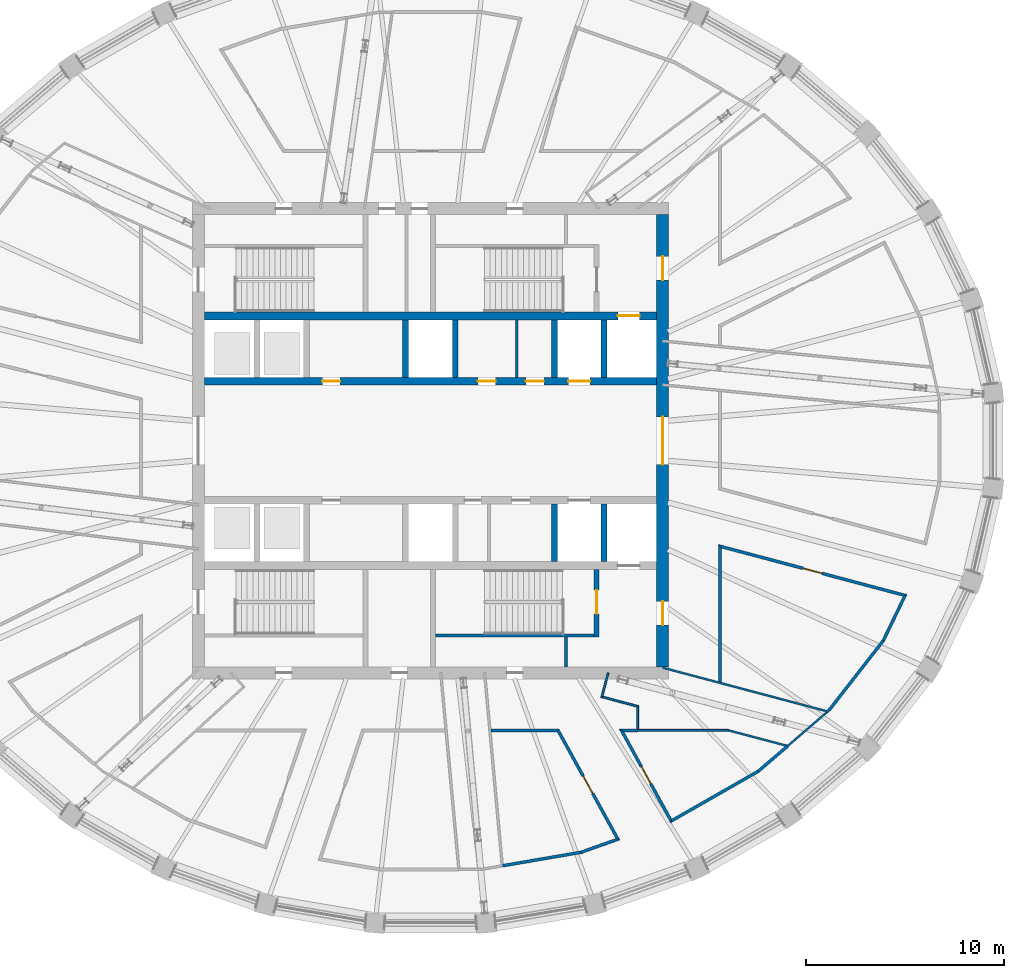
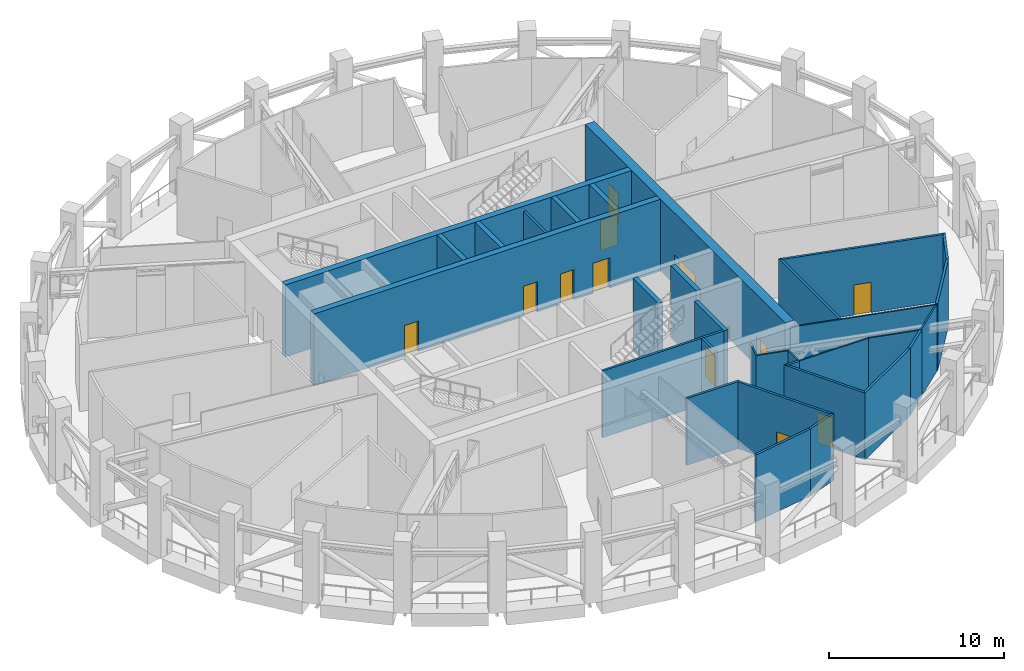
# One storey, part 9 of 20: 32 walls, 12 doors, 12 openings.
"""IFC4 building model written with IfcOpenShell, lengths in metres."""

from ifc_helpers import new_model, si_unit, direction, frame, frame_2d, origin, place, context, subcontext, project, spatial, polyline, rectangle, outline, extrude, material, layer, layer_set, type_object, element, fill, save


model = new_model("IFC4")

# Units and contexts
model_context = context("Model", 3, precision=1e-05, world=origin(), true_north=direction((0.0, 1.0)))
body_context = subcontext(model_context, "Body", "Model", "MODEL_VIEW")
ifc_project = project(units=[si_unit("LENGTHUNIT", "METRE"), si_unit("AREAUNIT", "SQUARE_METRE"), si_unit("VOLUMEUNIT", "CUBIC_METRE"), si_unit("PLANEANGLEUNIT", "RADIAN"), si_unit("MASSUNIT", "GRAM", prefix="KILO")], contexts=[model_context])

# Site, building, storey
site_placement = place(None, origin())
site = spatial("IfcSite", under=ifc_project, at=site_placement, CompositionType="ELEMENT")
building_placement = place(site_placement, origin())
building = spatial("IfcBuilding", under=site, at=building_placement, Name="Halqa Exchange Tower", CompositionType="ELEMENT")
storey_placement = place(building_placement, frame((0.0, 0.0, 328.300048828125)))
storey = spatial("IfcBuildingStorey", under=building, at=storey_placement, Name="L77", CompositionType="ELEMENT", Elevation=328.300048828125)

# Walls
ifc_material_1 = material(Name="Fire-rated gypsum board")
ifc_layer_1 = layer(ifc_material_1, 0.14990234375)
ifc_layer_set_1 = layer_set([ifc_layer_1], Name="Fire-rated gypsum board")
wall_type_1 = type_object("IfcWallType", Name="Fire partition EI 60 150", PredefinedType="PARTITIONING", material=ifc_layer_set_1)
wall_1_placement = place(storey_placement, frame((3.6201171875, -21.429931640625, 0.0), z_axis=(0.0, 0.0, 1.0), x_axis=(0.985641254307, 0.168852947287, 0.0)))
element("IfcWall", 1, at=wall_1_placement, inside=storey, type_object=wall_type_1, Name="L77-PWL-054", PredefinedType="PARTITIONING", context=body_context, shape_type="SweptSolid", body=[
    extrude(outline(polyline([(4.033935546875, -0.074951171875), (4.033935546875, -0.072998046875), (4.021240234375, 0.074951171875), (2.680908203125, 0.074951171875), (1.34033203125, 0.074951171875), (0.0, 0.074951171875), (0.0, -0.074951171875), (1.3447265625, -0.074951171875), (2.689208984375, -0.074951171875), (4.033935546875, -0.074951171875)])), origin(), (0.0, 0.0, 1.0), 4.64990234375),
])
wall_2_placement = place(storey_placement, frame((6.474365234375, -14.60009765625, 0.0), z_axis=(0.0, 0.0, 1.0), x_axis=(-1.0, 0.0, 0.0)))
element("IfcWall", 2, at=wall_2_placement, inside=storey, type_object=wall_type_1, Name="L77-PWL-056", PredefinedType="PARTITIONING", context=body_context, shape_type="SweptSolid", body=[
    extrude(outline(polyline([(3.435302734375, -0.074951171875), (3.435302734375, -0.070556640625), (3.422119140625, 0.074951171875), (1.75537109375, 0.074951171875), (0.088623046875, 0.074951171875), (0.04443359375, 0.0), (0.000244140625, -0.074951171875), (1.7177734375, -0.074951171875), (3.435302734375, -0.074951171875)])), origin(), (0.0, 0.0, 1.0), 4.64990234375),
])
wall_3_placement = place(storey_placement, frame((7.583984375, -20.752197265625, 0.0), z_axis=(0.0, 0.0, 1.0), x_axis=(0.942428945509, 0.334406463255, 0.0)))
element("IfcWall", 3, at=wall_3_placement, inside=storey, type_object=wall_type_1, Name="L77-PWL-058", PredefinedType="PARTITIONING", context=body_context, shape_type="SweptSolid", body=[
    extrude(outline(polyline([(0.0, -0.074951171875), (2.068359375, -0.074951171875), (1.891845703125, 0.074951171875), (0.012939453125, 0.074951171875), (0.0, -0.074462890625), (0.0, -0.074951171875)])), origin(), (0.0, 0.0, 1.0), 4.64990234375),
])

# Wall, opening, door
wall_4_placement = place(storey_placement, frame((9.492431640625, -20.167236328125, 0.0), z_axis=(0.0, 0.0, 1.0), x_axis=(-0.481958297576, 0.876194156222, 0.0)))
wall_4 = element("IfcWall", 4, at=wall_4_placement, inside=storey, type_object=wall_type_1, Name="L77-PWL-063", PredefinedType="PARTITIONING", context=body_context, shape_type="SweptSolid", body=[
    extrude(outline(polyline([(0.0, -0.074951171875), (1.599609375, -0.074951171875), (3.19921875, -0.074951171875), (4.798828125, -0.074951171875), (6.3984375, -0.074951171875), (6.309814453125, 0.074951171875), (4.7763671875, 0.074951171875), (3.242919921875, 0.074951171875), (1.709716796875, 0.074951171875), (0.17626953125, 0.074951171875), (0.0, -0.074951171875), (0.0, -0.074951171875)])), origin(), (0.0, 0.0, 1.0), 4.64990234375),
])
opening_1_placement = place(wall_4_placement, frame((2.72119140625, 0.0, 0.0)))
opening_1 = element("IfcOpeningElement", 5, at=opening_1_placement, cuts=wall_4, Name="Opening L77-05", PredefinedType="OPENING", context=body_context, shape_type="SweptSolid", body=[
    extrude(rectangle(XDim=1.0, YDim=2.10009765625, at=frame_2d((0.5, 1.050048828125))), frame((0.0, 0.0869140625, 0.0), z_axis=(0.0, -1.0, 0.0), x_axis=(1.0, 0.0, 0.0)), (0.0, 0.0, 1.0), 0.173828125),
])
ifc_material_2 = material(Name="Steel fire door leaf", Category="steel")
door_type_1 = type_object("IfcDoorType", Name="Fire door FD30S 1000 x 2100", OperationType="SINGLE_SWING_LEFT", PredefinedType="DOOR", material=ifc_material_2)
door_1_placement = place(opening_1_placement, origin())
door_1 = element("IfcDoor", 6, at=door_1_placement, inside=storey, type_object=door_type_1, Name="L77-IDR-005", OperationType="SINGLE_SWING_LEFT", OverallHeight=2.10009765625, OverallWidth=1.0, PredefinedType="DOOR", context=body_context, shape_type="SweptSolid", body=[
    extrude(rectangle(XDim=1.0, YDim=2.10009765625, at=frame_2d((0.5, 1.050048828125))), frame((0.0, 0.02490234375, 0.0), z_axis=(0.0, -1.0, 0.0), x_axis=(1.0, 0.0, 0.0)), (0.0, 0.0, 1.0), 0.050048828125),
])
fill(opening_1, door_1)

wall_5_placement = place(storey_placement, frame((9.569091796875, -14.489013671875, 0.0), z_axis=(0.0, 0.0, 1.0), x_axis=(0.480884015224, -0.876784217412, 0.0)))
wall_5 = element("IfcWall", 7, at=wall_5_placement, inside=storey, type_object=wall_type_1, Name="L77-PWL-064", PredefinedType="PARTITIONING", context=body_context, shape_type="SweptSolid", body=[
    extrude(outline(polyline([(5.41796875, -0.074951171875), (5.41796875, -0.074951171875), (5.265625, 0.074951171875), (3.5947265625, 0.074951171875), (1.923828125, 0.074951171875), (0.253173828125, 0.074951171875), (0.0, -0.074951171875), (0.0, -0.074951171875), (1.805908203125, -0.074951171875), (3.612060546875, -0.074951171875), (5.41796875, -0.074951171875)])), origin(), (0.0, 0.0, 1.0), 4.64990234375),
])
opening_2_placement = place(wall_5_placement, frame((2.2158203125, 0.0, 0.0)))
opening_2 = element("IfcOpeningElement", 8, at=opening_2_placement, cuts=wall_5, Name="Opening L77-06", PredefinedType="OPENING", context=body_context, shape_type="SweptSolid", body=[
    extrude(rectangle(XDim=1.0, YDim=2.10009765625, at=frame_2d((0.5, 1.050048828125))), frame((0.0, 0.0869140625, 0.0), z_axis=(0.0, -1.0, 0.0), x_axis=(1.0, 0.0, 0.0)), (0.0, 0.0, 1.0), 0.173828125),
])
door_2_placement = place(opening_2_placement, origin())
door_2 = element("IfcDoor", 9, at=door_2_placement, inside=storey, type_object=door_type_1, Name="L77-IDR-006", OperationType="SINGLE_SWING_LEFT", OverallHeight=2.10009765625, OverallWidth=1.0, PredefinedType="DOOR", context=body_context, shape_type="SweptSolid", body=[
    extrude(rectangle(XDim=1.0, YDim=2.10009765625, at=frame_2d((0.5, 1.050048828125))), frame((0.0, 0.02490234375, 0.0), z_axis=(0.0, -1.0, 0.0), x_axis=(1.0, 0.0, 0.0)), (0.0, 0.0, 1.0), 0.050048828125),
])
fill(opening_2, door_2)

# Walls
wall_6_placement = place(storey_placement, frame((10.449951171875, -14.60009765625, 0.0), z_axis=(0.0, 0.0, 1.0), x_axis=(-1.0, 0.0, 0.0)))
element("IfcWall", 10, at=wall_6_placement, inside=storey, type_object=wall_type_1, Name="L77-PWL-066", PredefinedType="PARTITIONING", context=body_context, shape_type="SweptSolid", body=[
    extrude(outline(polyline([(0.0, -0.074951171875), (0.9462890625, -0.074951171875), (0.693115234375, 0.074951171875), (0.0, 0.074951171875), (0.0, -0.074951171875)])), origin(), (0.0, 0.0, 1.0), 4.64990234375),
])
wall_7_placement = place(storey_placement, frame((12.071533203125, -19.21044921875, 0.0), z_axis=(0.0, 0.0, 1.0), x_axis=(0.868371978568, 0.495913406592, 0.0)))
element("IfcWall", 11, at=wall_7_placement, inside=storey, type_object=wall_type_1, Name="L77-PWL-072", PredefinedType="PARTITIONING", context=body_context, shape_type="SweptSolid", body=[
    extrude(outline(polyline([(5.1298828125, -0.074951171875), (5.1298828125, -0.074462890625), (5.115478515625, 0.074951171875), (3.461181640625, 0.074951171875), (1.806884765625, 0.074951171875), (0.152587890625, 0.074951171875), (0.000244140625, -0.074951171875), (1.7099609375, -0.074951171875), (3.419921875, -0.074951171875), (5.1298828125, -0.074951171875)])), origin(), (0.0, 0.0, 1.0), 4.64990234375),
])
wall_8_placement = place(storey_placement, frame((14.60009765625, -5.222412109375, 0.0), z_axis=(0.0, 0.0, 1.0), x_axis=(0.0, -1.0, 0.0)))
element("IfcWall", 12, at=wall_8_placement, inside=storey, type_object=wall_type_1, Name="L77-PWL-075", PredefinedType="PARTITIONING", context=body_context, shape_type="SweptSolid", body=[
    extrude(outline(polyline([(0.000244140625, -0.074951171875), (1.72900390625, -0.074951171875), (3.457763671875, -0.074951171875), (5.1865234375, -0.074951171875), (6.915283203125, -0.074951171875), (6.955078125, 0.074462890625), (6.955078125, 0.074951171875), (5.26513671875, 0.074951171875), (3.5751953125, 0.074951171875), (1.88525390625, 0.074951171875), (0.1953125, 0.074951171875), (0.09765625, 0.0), (0.000244140625, -0.074951171875)])), origin(), (0.0, 0.0, 1.0), 4.64990234375),
])
wall_9_placement = place(storey_placement, frame((16.5146484375, -16.6748046875, 0.0), z_axis=(0.0, 0.0, 1.0), x_axis=(0.758460607648, 0.651718886213, 0.0)))
element("IfcWall", 13, at=wall_9_placement, inside=storey, type_object=wall_type_1, Name="L77-PWL-082", PredefinedType="PARTITIONING", context=body_context, shape_type="SweptSolid", body=[
    extrude(outline(polyline([(1.9716796875, 0.074951171875), (0.014404296875, 0.074951171875), (0.0, -0.074951171875), (0.0, -0.074951171875), (1.9716796875, -0.074951171875), (1.9716796875, 0.074951171875)])), origin(), (0.0, 0.0, 1.0), 4.64990234375),
])
wall_10_placement = place(storey_placement, frame((20.079833984375, -13.607421875, 0.0), z_axis=(0.0, 0.0, 1.0), x_axis=(0.614871892474, 0.788627006794, 0.0)))
element("IfcWall", 14, at=wall_10_placement, inside=storey, type_object=wall_type_1, Name="L77-PWL-085", PredefinedType="PARTITIONING", context=body_context, shape_type="SweptSolid", body=[
    extrude(outline(polyline([(4.480712890625, -0.074951171875), (4.480712890625, -0.073974609375), (4.46484375, 0.074951171875), (2.9765625, 0.074951171875), (1.48828125, 0.074951171875), (0.0, 0.074951171875), (0.0, -0.074951171875), (1.49365234375, -0.074951171875), (2.987060546875, -0.074951171875), (4.480712890625, -0.074951171875)])), origin(), (0.0, 0.0, 1.0), 4.64990234375),
])
wall_11_placement = place(storey_placement, frame((22.826416015625, -10.087158203125, 0.0), z_axis=(0.0, 0.0, 1.0), x_axis=(0.434582931339, 0.900631820329, 0.0)))
element("IfcWall", 15, at=wall_11_placement, inside=storey, type_object=wall_type_1, Name="L77-PWL-088", PredefinedType="PARTITIONING", context=body_context, shape_type="SweptSolid", body=[
    extrude(outline(polyline([(0.0, -0.074951171875), (1.315185546875, -0.074951171875), (2.63037109375, -0.074951171875), (2.44873046875, 0.074951171875), (0.01611328125, 0.074951171875), (0.0, -0.074951171875)])), origin(), (0.0, 0.0, 1.0), 4.64990234375),
])

# Wall, opening, door
wall_12_placement = place(storey_placement, frame((24.017578125, -7.8232421875, 0.0), z_axis=(0.0, 0.0, 1.0), x_axis=(-0.966442126826, 0.256884439963, 0.0)))
wall_12 = element("IfcWall", 16, at=wall_12_placement, inside=storey, type_object=wall_type_1, Name="L77-PWL-090", PredefinedType="PARTITIONING", context=body_context, shape_type="SweptSolid", body=[
    extrude(outline(polyline([(0.0, -0.074951171875), (1.968505859375, -0.074951171875), (3.936767578125, -0.074951171875), (5.9052734375, -0.074951171875), (7.87353515625, -0.074951171875), (9.842041015625, -0.074951171875), (9.647216796875, 0.074951171875), (7.75390625, 0.074951171875), (5.86083984375, 0.074951171875), (3.967529296875, 0.074951171875), (2.074462890625, 0.074951171875), (0.181396484375, 0.074951171875), (0.0, -0.074951171875), (0.0, -0.074951171875)])), origin(), (0.0, 0.0, 1.0), 4.64990234375),
])
opening_3_placement = place(wall_12_placement, frame((4.417724609375, 0.0, 0.0)))
opening_3 = element("IfcOpeningElement", 17, at=opening_3_placement, cuts=wall_12, Name="Opening L77-07", PredefinedType="OPENING", context=body_context, shape_type="SweptSolid", body=[
    extrude(rectangle(XDim=1.0, YDim=2.10009765625, at=frame_2d((0.5, 1.050048828125))), frame((0.0, 0.0869140625, 0.0), z_axis=(0.0, -1.0, 0.0), x_axis=(1.0, 0.0, 0.0)), (0.0, 0.0, 1.0), 0.173828125),
])
door_3_placement = place(opening_3_placement, origin())
door_3 = element("IfcDoor", 18, at=door_3_placement, inside=storey, type_object=door_type_1, Name="L77-IDR-007", OperationType="SINGLE_SWING_LEFT", OverallHeight=2.10009765625, OverallWidth=1.0, PredefinedType="DOOR", context=body_context, shape_type="SweptSolid", body=[
    extrude(rectangle(XDim=1.0, YDim=2.10009765625, at=frame_2d((0.5, 1.050048828125))), frame((0.0, 0.02490234375, 0.0), z_axis=(0.0, -1.0, 0.0), x_axis=(1.0, 0.0, 0.0)), (0.0, 0.0, 1.0), 0.050048828125),
])
fill(opening_3, door_3)

# Walls
ifc_material_3 = material(Name="Gypsum board")
ifc_layer_2 = layer(ifc_material_3, 0.10009765625)
ifc_layer_set_2 = layer_set([ifc_layer_2], Name="Gypsum board")
wall_type_2 = type_object("IfcWallType", Name="Partition 100 gypsum", PredefinedType="PARTITIONING", material=ifc_layer_set_2)
wall_13_placement = place(storey_placement, frame((8.591796875, -12.897216796875, 0.0), z_axis=(0.0, 0.0, 1.0), x_axis=(0.966587372572, -0.256337377657, 0.0)))
element("IfcWall", 19, at=wall_13_placement, inside=storey, type_object=wall_type_2, Name="L77-PWL-061", PredefinedType="PARTITIONING", context=body_context, shape_type="SweptSolid", body=[
    extrude(outline(polyline([(0.0, -0.050048828125), (1.884033203125, -0.050048828125), (1.9609375, 0.050048828125), (0.099853515625, 0.050048828125), (0.0, -0.0498046875), (0.0, -0.050048828125)])), origin(), (0.0, 0.0, 1.0), 4.64990234375),
])
wall_14_placement = place(storey_placement, frame((8.9599609375, -11.699951171875, 0.0), z_axis=(0.0, 0.0, 1.0), x_axis=(-0.255665703413, -0.966765249737, 0.0)))
element("IfcWall", 20, at=wall_14_placement, inside=storey, type_object=wall_type_2, Name="L77-PWL-062", PredefinedType="PARTITIONING", context=body_context, shape_type="SweptSolid", body=[
    extrude(outline(polyline([(1.301513671875, -0.050048828125), (1.301513671875, -0.0498046875), (1.20166015625, 0.050048828125), (0.0, 0.050048828125), (0.0, -0.050048828125), (1.301513671875, -0.050048828125)])), origin(), (0.0, 0.0, 1.0), 4.64990234375),
])
wall_15_placement = place(storey_placement, frame((10.449951171875, -14.60009765625, 0.0), z_axis=(0.0, 0.0, 1.0), x_axis=(1.0, 0.0, 0.0)))
element("IfcWall", 21, at=wall_15_placement, inside=storey, type_object=wall_type_2, Name="L77-PWL-067", PredefinedType="PARTITIONING", context=body_context, shape_type="SweptSolid", body=[
    extrude(outline(polyline([(0.0, -0.050048828125), (1.52001953125, -0.050048828125), (3.040283203125, -0.050048828125), (4.560302734375, -0.050048828125), (4.5732421875, 0.049560546875), (4.5732421875, 0.050048828125), (3.048828125, 0.050048828125), (1.5244140625, 0.050048828125), (0.0, 0.050048828125), (0.0, -0.050048828125)])), origin(), (0.0, 0.0, 1.0), 4.64990234375),
])
wall_16_placement = place(storey_placement, frame((10.449951171875, -13.3515625, 0.0), z_axis=(0.0, 0.0, 1.0), x_axis=(0.0, -1.0, 0.0)))
element("IfcWall", 22, at=wall_16_placement, inside=storey, type_object=wall_type_2, Name="L77-PWL-068", PredefinedType="PARTITIONING", context=body_context, shape_type="SweptSolid", body=[
    extrude(outline(polyline([(0.076904296875, -0.050048828125), (1.17333984375, -0.050048828125), (1.17333984375, 0.0), (1.197998046875, 0.0), (1.197998046875, 0.050048828125), (0.0, 0.050048828125), (0.0, 0.050048828125), (0.038330078125, 0.0), (0.076904296875, -0.050048828125), (0.076904296875, -0.050048828125), (0.076904296875, -0.050048828125)])), origin(), (0.0, 0.0, 1.0), 4.64990234375),
])
wall_17_placement = place(storey_placement, frame((11.699951171875, -11.43994140625, 0.0), z_axis=(0.0, 0.0, 1.0), x_axis=(0.966559990697, -0.256440605959, 0.0)))
element("IfcWall", 23, at=wall_17_placement, inside=storey, type_object=wall_type_2, Name="L77-PWL-069", PredefinedType="PARTITIONING", context=body_context, shape_type="SweptSolid", body=[
    extrude(rectangle(XDim=8.668212890625, YDim=0.10009765625, at=frame_2d((4.333984375, 0.0))), origin(), (0.0, 0.0, 1.0), 4.64990234375),
])
wall_18_placement = place(storey_placement, frame((15.010498046875, -14.598388671875, 0.0), z_axis=(0.0, 0.0, 1.0), x_axis=(0.966889206018, -0.255196518952, 0.0)))
element("IfcWall", 24, at=wall_18_placement, inside=storey, type_object=wall_type_2, Name="L77-PWL-074", PredefinedType="PARTITIONING", context=body_context, shape_type="SweptSolid", body=[
    extrude(outline(polyline([(0.012939453125, -0.050048828125), (1.494873046875, -0.050048828125), (2.9765625, -0.050048828125), (3.040283203125, 0.04248046875), (3.06103515625, 0.0283203125), (3.07568359375, 0.0498046875), (3.07568359375, 0.050048828125), (1.537841796875, 0.050048828125), (0.0, 0.050048828125), (0.012939453125, -0.050048828125), (0.012939453125, -0.050048828125), (0.012939453125, -0.050048828125)])), origin(), (0.0, 0.0, 1.0), 4.64990234375),
])
wall_19_placement = place(storey_placement, frame((18.010009765625, -15.389892578125, 0.0), z_axis=(0.0, 0.0, 1.0), x_axis=(0.757687492776, 0.652617547489, 0.0)))
element("IfcWall", 25, at=wall_19_placement, inside=storey, type_object=wall_type_2, Name="L77-PWL-084", PredefinedType="PARTITIONING", context=body_context, shape_type="SweptSolid", body=[
    extrude(outline(polyline([(2.6396484375, -0.050048828125), (2.6396484375, -0.0498046875), (2.571044921875, 0.050048828125), (1.298583984375, 0.050048828125), (0.026123046875, 0.050048828125), (0.0, 0.0322265625), (0.0, -0.050048828125), (1.31982421875, -0.050048828125), (2.6396484375, -0.050048828125)])), origin(), (0.0, 0.0, 1.0), 4.64990234375),
])
ifc_layer_3 = layer(ifc_material_3, 0.14990234375)
ifc_layer_set_3 = layer_set([ifc_layer_3], Name="Gypsum board")
wall_type_3 = type_object("IfcWallType", Name="Penthouse riser wall 150 gypsum", PredefinedType="PARTITIONING", material=ifc_layer_set_3)
wall_20_placement = place(storey_placement, frame((6.824951171875, -11.39990234375, 0.0), z_axis=(0.0, 0.0, 1.0), x_axis=(0.0, 1.0, 0.0)))
element("IfcWall", 26, at=wall_20_placement, inside=storey, type_object=wall_type_3, Name="Firefighting lobby west wall S", PredefinedType="PARTITIONING", context=body_context, shape_type="SweptSolid", body=[
    extrude(rectangle(XDim=1.5, YDim=0.14990234375, at=frame_2d((0.75, 0.0))), origin(), (0.0, 0.0, 1.0), 4.64990234375),
])
wall_21_placement = place(storey_placement, frame((4.35009765625, 3.199951171875, 0.0), z_axis=(0.0, 0.0, 1.0), x_axis=(0.0, 1.0, 0.0)))
element("IfcWall", 27, at=wall_21_placement, inside=storey, type_object=wall_type_3, Name="Freed bay partition NE4.350", PredefinedType="PARTITIONING", context=body_context, shape_type="SweptSolid", body=[
    extrude(rectangle(XDim=2.900146484375, YDim=0.14990234375, at=frame_2d((1.4501953125, 0.0))), origin(), (0.0, 0.0, 1.0), 4.64990234375),
])
ifc_material_4 = material(Name="Concrete C60/75", Category="concrete")
ifc_layer_4 = layer(ifc_material_4, 0.300048828125)
ifc_layer_set_4 = layer_set([ifc_layer_4], Name="Concrete C60/75")
wall_type_4 = type_object("IfcWallType", Name="RC core wall 300", PredefinedType="SHEAR", material=ifc_layer_set_4)
for number, where, z_axis, x_axis, name in (
    (28, (-1.25, 3.199951171875, 0.0), (0.0, 0.0, 1.0), (0.0, 1.0, 0.0), "Shaft divider N4"),
    (29, (1.25, 3.199951171875, 0.0), (0.0, 0.0, 1.0), (0.0, 1.0, 0.0), "Shaft divider N5"),
    (30, (6.25, 3.199951171875, 0.0), (0.0, 0.0, 1.0), (0.0, 1.0, 0.0), "Shaft divider N7"),
    (31, (8.75, 3.199951171875, 0.0), (0.0, 0.0, 1.0), (0.0, 1.0, 0.0), "Shaft divider N8"),
    (32, (6.25, -6.10009765625, 0.0), (0.0, 0.0, 1.0), (0.0, 1.0, 0.0), "Shaft divider S7"),
    (33, (8.75, -6.10009765625, 0.0), (0.0, 0.0, 1.0), (0.0, 1.0, 0.0), "Shaft divider S8"),
):
    element("IfcWall", number, at=place(storey_placement, frame(where, z_axis=z_axis, x_axis=x_axis)), inside=storey, type_object=wall_type_4, Name=name, PredefinedType="SHEAR", context=body_context, shape_type="SweptSolid", body=[
        extrude(rectangle(XDim=2.900146484375, YDim=0.300048828125, at=frame_2d((1.4501953125, 0.0))), origin(), (0.0, 0.0, 1.0), 5.0),
    ])

# Wall, openings, doors
ifc_layer_5 = layer(ifc_material_4, 0.39990234375)
ifc_layer_set_5 = layer_set([ifc_layer_5], Name="Concrete C60/75")
wall_type_5 = type_object("IfcWallType", Name="RC core wall 400 C60/75", PredefinedType="SHEAR", material=ifc_layer_set_5)
wall_22_placement = place(storey_placement, frame((-11.39990234375, 3.0, 0.0), z_axis=(0.0, 0.0, 1.0), x_axis=(1.0, 0.0, 0.0)))
wall_22 = element("IfcWall", 34, at=wall_22_placement, inside=storey, type_object=wall_type_5, Name="Lift row front wall N", PredefinedType="SHEAR", context=body_context, shape_type="SweptSolid", body=[
    extrude(rectangle(XDim=22.7998046875, YDim=0.39990234375, at=frame_2d((11.39990234375, 0.0))), origin(), (0.0, 0.0, 1.0), 5.0),
])
opening_4_placement = place(wall_22_placement, frame((18.35009765625, 0.0, 0.0)))
opening_4 = element("IfcOpeningElement", 35, at=opening_4_placement, cuts=wall_22, Name="Opening LD-SV1-L77", PredefinedType="OPENING", context=body_context, shape_type="SweptSolid", body=[
    extrude(rectangle(XDim=1.10009765625, YDim=2.10009765625, at=frame_2d((0.550048828125, 1.050048828125))), frame((0.0, 0.2119140625, 0.0), z_axis=(0.0, -1.0, 0.0), x_axis=(1.0, 0.0, 0.0)), (0.0, 0.0, 1.0), 0.423828125),
])
opening_5_placement = place(wall_22_placement, frame((13.78759765625, 0.0, 0.0)))
opening_5 = element("IfcOpeningElement", 36, at=opening_5_placement, cuts=wall_22, Name="Opening L77-C20", PredefinedType="OPENING", context=body_context, shape_type="SweptSolid", body=[
    extrude(rectangle(XDim=0.89990234375, YDim=2.10009765625, at=frame_2d((0.449951171875, 1.050048828125))), frame((0.0, 0.2119140625, 0.0), z_axis=(0.0, -1.0, 0.0), x_axis=(1.0, 0.0, 0.0)), (0.0, 0.0, 1.0), 0.423828125),
])
opening_6_placement = place(wall_22_placement, frame((16.21240234375, 0.0, 0.0)))
opening_6 = element("IfcOpeningElement", 37, at=opening_6_placement, cuts=wall_22, Name="Opening L77-C21", PredefinedType="OPENING", context=body_context, shape_type="SweptSolid", body=[
    extrude(rectangle(XDim=0.89990234375, YDim=2.10009765625, at=frame_2d((0.449951171875, 1.050048828125))), frame((0.0, 0.2119140625, 0.0), z_axis=(0.0, -1.0, 0.0), x_axis=(1.0, 0.0, 0.0)), (0.0, 0.0, 1.0), 0.423828125),
])
opening_7_placement = place(wall_22_placement, frame((5.949951171875, 0.0, 0.0)))
opening_7 = element("IfcOpeningElement", 38, at=opening_7_placement, cuts=wall_22, Name="Opening L77-C22", PredefinedType="OPENING", context=body_context, shape_type="SweptSolid", body=[
    extrude(rectangle(XDim=0.89990234375, YDim=2.10009765625, at=frame_2d((0.449951171875, 1.050048828125))), frame((0.0, 0.2119140625, 0.0), z_axis=(0.0, -1.0, 0.0), x_axis=(1.0, 0.0, 0.0)), (0.0, 0.0, 1.0), 0.423828125),
])
ifc_material_5 = material(Name="Timber fire door leaf", Category="wood")
door_type_2 = type_object("IfcDoorType", Name="Core room door FD30 900 x 2100", OperationType="SINGLE_SWING_LEFT", PredefinedType="DOOR", material=ifc_material_5)
door_4_placement = place(opening_5_placement, origin())
door_4 = element("IfcDoor", 39, at=door_4_placement, inside=storey, type_object=door_type_2, Name="Core room door", OperationType="SINGLE_SWING_LEFT", OverallHeight=2.10009765625, OverallWidth=0.89990234375, PredefinedType="DOOR", context=body_context, shape_type="SweptSolid", body=[
    extrude(rectangle(XDim=0.89990234375, YDim=2.10009765625, at=frame_2d((0.449951171875, 1.050048828125))), frame((0.0, 0.02490234375, 0.0), z_axis=(0.0, -1.0, 0.0), x_axis=(1.0, 0.0, 0.0)), (0.0, 0.0, 1.0), 0.050048828125),
])
fill(opening_5, door_4)
door_5_placement = place(opening_6_placement, origin())
door_5 = element("IfcDoor", 40, at=door_5_placement, inside=storey, type_object=door_type_2, Name="Core room door", OperationType="SINGLE_SWING_LEFT", OverallHeight=2.10009765625, OverallWidth=0.89990234375, PredefinedType="DOOR", context=body_context, shape_type="SweptSolid", body=[
    extrude(rectangle(XDim=0.89990234375, YDim=2.10009765625, at=frame_2d((0.449951171875, 1.050048828125))), frame((0.0, 0.02490234375, 0.0), z_axis=(0.0, -1.0, 0.0), x_axis=(1.0, 0.0, 0.0)), (0.0, 0.0, 1.0), 0.050048828125),
])
fill(opening_6, door_5)
door_6_placement = place(opening_7_placement, origin())
door_6 = element("IfcDoor", 41, at=door_6_placement, inside=storey, type_object=door_type_2, Name="Core room door", OperationType="SINGLE_SWING_RIGHT", OverallHeight=2.10009765625, OverallWidth=0.89990234375, PredefinedType="DOOR", context=body_context, shape_type="SweptSolid", body=[
    extrude(rectangle(XDim=0.89990234375, YDim=2.10009765625, at=frame_2d((0.449951171875, 1.050048828125))), frame((0.0, 0.02490234375, 0.0), z_axis=(0.0, -1.0, 0.0), x_axis=(1.0, 0.0, 0.0)), (0.0, 0.0, 1.0), 0.050048828125),
])
fill(opening_7, door_6)
ifc_material_6 = material(Name="Stainless steel", Category="steel")
door_type_3 = type_object("IfcDoorType", Name="Lift landing door 1100 x 2100", OperationType="SLIDING_TO_LEFT", PredefinedType="DOOR", material=ifc_material_6)
door_7_placement = place(opening_4_placement, origin())
door_7 = element("IfcDoor", 42, at=door_7_placement, inside=storey, type_object=door_type_3, Name="Lift landing door SV1", OperationType="SLIDING_TO_LEFT", OverallHeight=2.10009765625, OverallWidth=1.10009765625, PredefinedType="DOOR", context=body_context, shape_type="SweptSolid", body=[
    extrude(rectangle(XDim=1.10009765625, YDim=2.10009765625, at=frame_2d((0.550048828125, 1.050048828125))), frame((0.0, 0.02490234375, 0.0), z_axis=(0.0, -1.0, 0.0), x_axis=(1.0, 0.0, 0.0)), (0.0, 0.0, 1.0), 0.050048828125),
])
fill(opening_4, door_7)

# Wall, opening, door
wall_23_placement = place(storey_placement, frame((-11.39990234375, 6.300048828125, 0.0), z_axis=(0.0, 0.0, 1.0), x_axis=(1.0, 0.0, 0.0)))
wall_23 = element("IfcWall", 43, at=wall_23_placement, inside=storey, type_object=wall_type_5, Name="Lift row back wall N", PredefinedType="SHEAR", context=body_context, shape_type="SweptSolid", body=[
    extrude(rectangle(XDim=22.7998046875, YDim=0.39990234375, at=frame_2d((11.39990234375, 0.0))), origin(), (0.0, 0.0, 1.0), 5.0),
])
opening_8_placement = place(wall_23_placement, frame((20.85009765625, 0.0, 0.0)))
opening_8 = element("IfcOpeningElement", 44, at=opening_8_placement, cuts=wall_23, Name="Opening LD-FF1-L77", PredefinedType="OPENING", context=body_context, shape_type="SweptSolid", body=[
    extrude(rectangle(XDim=1.10009765625, YDim=2.10009765625, at=frame_2d((0.550048828125, 1.050048828125))), frame((0.0, 0.2119140625, 0.0), z_axis=(0.0, -1.0, 0.0), x_axis=(1.0, 0.0, 0.0)), (0.0, 0.0, 1.0), 0.423828125),
])
door_8_placement = place(opening_8_placement, origin())
door_8 = element("IfcDoor", 45, at=door_8_placement, inside=storey, type_object=door_type_3, Name="Lift landing door FF1", OperationType="SLIDING_TO_LEFT", OverallHeight=2.10009765625, OverallWidth=1.10009765625, PredefinedType="DOOR", context=body_context, shape_type="SweptSolid", body=[
    extrude(rectangle(XDim=1.10009765625, YDim=2.10009765625, at=frame_2d((0.550048828125, 1.050048828125))), frame((0.0, 0.02490234375, 0.0), z_axis=(0.0, -1.0, 0.0), x_axis=(1.0, 0.0, 0.0)), (0.0, 0.0, 1.0), 0.050048828125),
])
fill(opening_8, door_8)

# Wall, openings, doors
ifc_layer_6 = layer(ifc_material_4, 0.60009765625)
ifc_layer_set_6 = layer_set([ifc_layer_6], Name="Concrete C60/75")
wall_type_6 = type_object("IfcWallType", Name="RC core wall 600 C60/75", PredefinedType="SHEAR", material=ifc_layer_set_6)
wall_24_placement = place(storey_placement, frame((11.699951171875, -11.39990234375, 0.0), z_axis=(0.0, 0.0, 1.0), x_axis=(0.0, 1.0, 0.0)))
wall_24 = element("IfcWall", 46, at=wall_24_placement, inside=storey, type_object=wall_type_6, Name="Core wall east", PredefinedType="SHEAR", context=body_context, shape_type="SweptSolid", body=[
    extrude(rectangle(XDim=22.7998046875, YDim=0.60009765625, at=frame_2d((11.39990234375, 0.0))), origin(), (0.0, 0.0, 1.0), 5.0),
])
opening_9_placement = place(wall_24_placement, frame((10.199951171875, 0.0, 0.0)))
opening_9 = element("IfcOpeningElement", 47, at=opening_9_placement, cuts=wall_24, Name="Opening L77-C06", PredefinedType="OPENING", context=body_context, shape_type="SweptSolid", body=[
    extrude(rectangle(XDim=2.39990234375, YDim=2.10009765625, at=frame_2d((1.199951171875, 1.050048828125))), frame((0.0, 0.31201171875, 0.0), z_axis=(0.0, -1.0, 0.0), x_axis=(1.0, 0.0, 0.0)), (0.0, 0.0, 1.0), 0.6240234375),
])
opening_10_placement = place(wall_24_placement, frame((19.5, 0.0, 0.0)))
opening_10 = element("IfcOpeningElement", 48, at=opening_10_placement, cuts=wall_24, Name="Opening L77-C11", PredefinedType="OPENING", context=body_context, shape_type="SweptSolid", body=[
    extrude(rectangle(XDim=1.199951171875, YDim=2.10009765625, at=frame_2d((0.60009765625, 1.050048828125))), frame((0.0, 0.31201171875, 0.0), z_axis=(0.0, -1.0, 0.0), x_axis=(1.0, 0.0, 0.0)), (0.0, 0.0, 1.0), 0.6240234375),
])
opening_11_placement = place(wall_24_placement, frame((2.10009765625, 0.0, 0.0)))
opening_11 = element("IfcOpeningElement", 49, at=opening_11_placement, cuts=wall_24, Name="Opening L77-C12", PredefinedType="OPENING", context=body_context, shape_type="SweptSolid", body=[
    extrude(rectangle(XDim=1.199951171875, YDim=2.10009765625, at=frame_2d((0.60009765625, 1.050048828125))), frame((0.0, 0.31201171875, 0.0), z_axis=(0.0, -1.0, 0.0), x_axis=(1.0, 0.0, 0.0)), (0.0, 0.0, 1.0), 0.6240234375),
])
door_type_4 = type_object("IfcDoorType", Name="Firefighting lobby door FD90 1200 x 2100", OperationType="SINGLE_SWING_RIGHT", PredefinedType="DOOR", material=ifc_material_2)
door_9_placement = place(opening_10_placement, origin())
door_9 = element("IfcDoor", 50, at=door_9_placement, inside=storey, type_object=door_type_4, Name="Firefighting lobby door", OperationType="SINGLE_SWING_RIGHT", OverallHeight=2.10009765625, OverallWidth=1.199951171875, PredefinedType="DOOR", context=body_context, shape_type="SweptSolid", body=[
    extrude(rectangle(XDim=1.199951171875, YDim=2.10009765625, at=frame_2d((0.60009765625, 1.050048828125))), frame((0.0, 0.02490234375, 0.0), z_axis=(0.0, -1.0, 0.0), x_axis=(1.0, 0.0, 0.0)), (0.0, 0.0, 1.0), 0.050048828125),
])
fill(opening_10, door_9)
door_10_placement = place(opening_11_placement, origin())
door_10 = element("IfcDoor", 51, at=door_10_placement, inside=storey, type_object=door_type_4, Name="Firefighting lobby door", OperationType="SINGLE_SWING_LEFT", OverallHeight=2.10009765625, OverallWidth=1.199951171875, PredefinedType="DOOR", context=body_context, shape_type="SweptSolid", body=[
    extrude(rectangle(XDim=1.199951171875, YDim=2.10009765625, at=frame_2d((0.60009765625, 1.050048828125))), frame((0.0, 0.02490234375, 0.0), z_axis=(0.0, -1.0, 0.0), x_axis=(1.0, 0.0, 0.0)), (0.0, 0.0, 1.0), 0.050048828125),
])
fill(opening_11, door_10)
door_type_5 = type_object("IfcDoorType", Name="Lobby double door FD60 2400 x 2100", OperationType="DOUBLE_DOOR_SINGLE_SWING", PredefinedType="DOOR", material=ifc_material_2)
door_11_placement = place(opening_9_placement, frame((2.39990234375, 0.0, 0.0), z_axis=(0.0, 0.0, 1.0), x_axis=(-1.0, 0.0, 0.0)))
door_11 = element("IfcDoor", 52, at=door_11_placement, inside=storey, type_object=door_type_5, Name="Lift lobby double door", OperationType="DOUBLE_DOOR_SINGLE_SWING", OverallHeight=2.10009765625, OverallWidth=2.39990234375, PredefinedType="DOOR", context=body_context, shape_type="SweptSolid", body=[
    extrude(rectangle(XDim=2.39990234375, YDim=2.10009765625, at=frame_2d((1.199951171875, 1.050048828125))), frame((0.0, 0.02490234375, 0.0), z_axis=(0.0, -1.0, 0.0), x_axis=(1.0, 0.0, 0.0)), (0.0, 0.0, 1.0), 0.050048828125),
])
fill(opening_9, door_11)

# Wall
ifc_material_7 = material(Name="Concrete C30/37", Category="concrete")
ifc_layer_7 = layer(ifc_material_7, 0.14990234375)
ifc_layer_set_7 = layer_set([ifc_layer_7], Name="Concrete C30/37")
wall_type_7 = type_object("IfcWallType", Name="RC stair wall 150 C30/37", PredefinedType="SHEAR", material=ifc_layer_set_7)
wall_25_placement = place(storey_placement, frame((0.25, -9.824951171875, 0.0), z_axis=(0.0, 0.0, 1.0), x_axis=(1.0, 0.0, 0.0)))
element("IfcWall", 53, at=wall_25_placement, inside=storey, type_object=wall_type_7, Name="Stair ST2 north wall S", PredefinedType="SHEAR", context=body_context, shape_type="SweptSolid", body=[
    extrude(rectangle(XDim=8.0, YDim=0.14990234375, at=frame_2d((4.0, 0.0))), origin(), (0.0, 0.0, 1.0), 4.64990234375),
])

# Wall, opening, door
ifc_layer_8 = layer(ifc_material_7, 0.25)
ifc_layer_set_8 = layer_set([ifc_layer_8], Name="Concrete C30/37")
wall_type_8 = type_object("IfcWallType", Name="RC stair wall 250 C30/37", PredefinedType="SHEAR", material=ifc_layer_set_8)
wall_26_placement = place(storey_placement, frame((8.375, -9.89990234375, 0.0), z_axis=(0.0, 0.0, 1.0), x_axis=(0.0, 1.0, 0.0)))
wall_26 = element("IfcWall", 54, at=wall_26_placement, inside=storey, type_object=wall_type_8, Name="Stair ST2 east wall S", PredefinedType="SHEAR", context=body_context, shape_type="SweptSolid", body=[
    extrude(rectangle(XDim=3.39990234375, YDim=0.25, at=frame_2d((1.699951171875, 0.0))), origin(), (0.0, 0.0, 1.0), 4.64990234375),
])
opening_12_placement = place(wall_26_placement, frame((1.175048828125, 0.0, 0.0)))
opening_12 = element("IfcOpeningElement", 55, at=opening_12_placement, cuts=wall_26, Name="Opening L77-C10", PredefinedType="OPENING", context=body_context, shape_type="SweptSolid", body=[
    extrude(rectangle(XDim=1.199951171875, YDim=2.10009765625, at=frame_2d((0.60009765625, 1.050048828125))), frame((0.0, 0.136962890625, 0.0), z_axis=(0.0, -1.0, 0.0), x_axis=(1.0, 0.0, 0.0)), (0.0, 0.0, 1.0), 0.27392578125),
])
door_type_6 = type_object("IfcDoorType", Name="Stair door FD90 1200 x 2100", OperationType="SINGLE_SWING_LEFT", PredefinedType="DOOR", material=ifc_material_2)
door_12_placement = place(opening_12_placement, origin())
door_12 = element("IfcDoor", 56, at=door_12_placement, inside=storey, type_object=door_type_6, Name="Stair door ST4", OperationType="SINGLE_SWING_RIGHT", OverallHeight=2.10009765625, OverallWidth=1.199951171875, PredefinedType="DOOR", context=body_context, shape_type="SweptSolid", body=[
    extrude(rectangle(XDim=1.199951171875, YDim=2.10009765625, at=frame_2d((0.60009765625, 1.050048828125))), frame((0.0, 0.02490234375, 0.0), z_axis=(0.0, -1.0, 0.0), x_axis=(1.0, 0.0, 0.0)), (0.0, 0.0, 1.0), 0.050048828125),
])
fill(opening_12, door_12)

save(model, "model.ifc")
